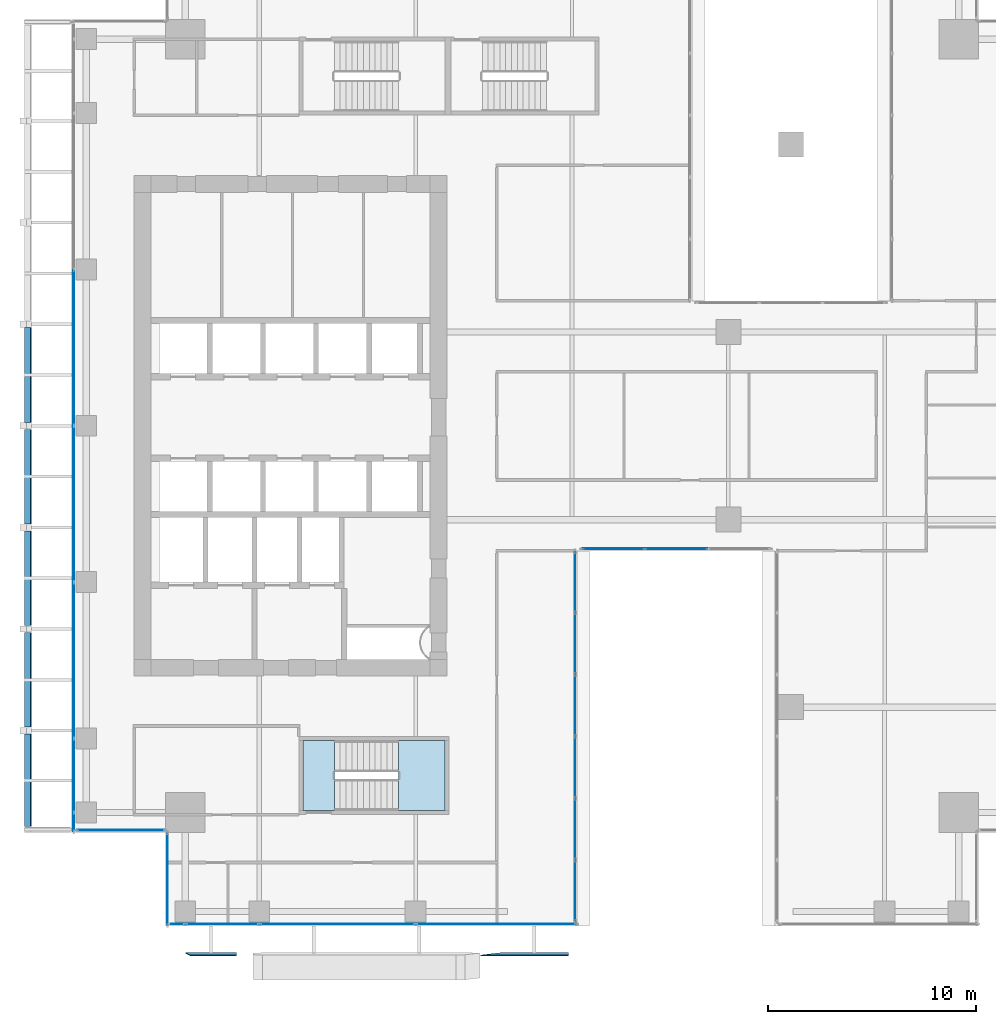
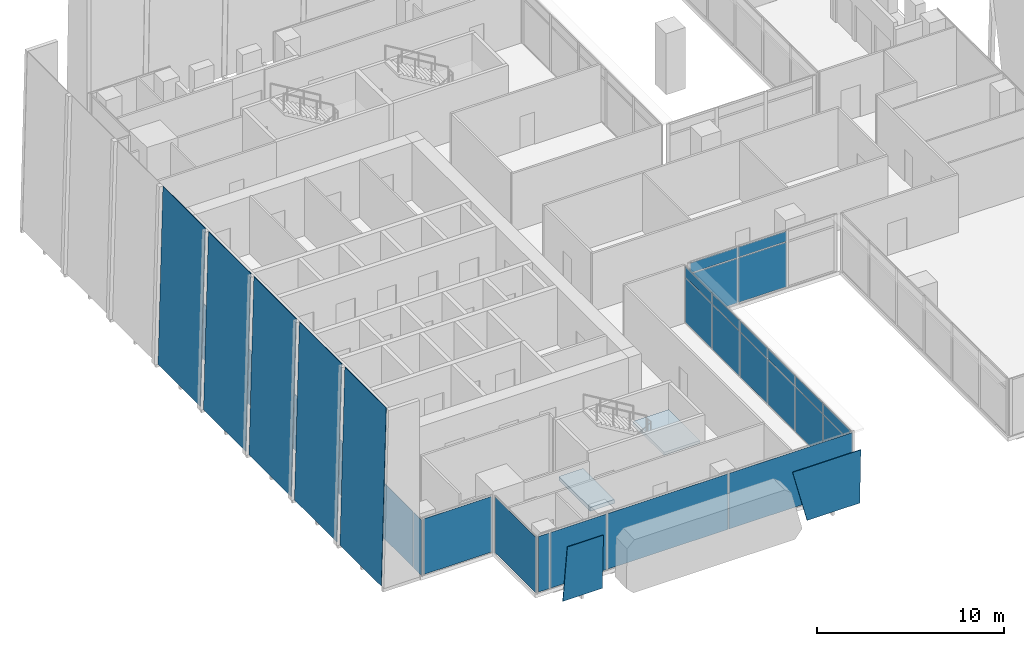
# One storey, part 28 of 40: 34 plates, 2 slabs, 7 elements without a shape of their own.
"""IFC4 building model written with IfcOpenShell, lengths in metres."""

from ifc_helpers import new_model, si_unit, direction, frame, origin, origin_2d, place, context, subcontext, project, spatial, polyline, rectangle, outline, extrude, source, transform, mapped, material, layer, layer_set, type_object, element, aggregate, save


model = new_model("IFC4")

# Units and contexts
model_context = context("Model", 3, precision=1e-05, world=origin(), true_north=direction((0.0, 1.0)))
body_context = subcontext(model_context, "Body", "Model", "MODEL_VIEW")
ifc_project = project(units=[si_unit("LENGTHUNIT", "METRE"), si_unit("AREAUNIT", "SQUARE_METRE"), si_unit("VOLUMEUNIT", "CUBIC_METRE"), si_unit("PLANEANGLEUNIT", "RADIAN"), si_unit("MASSUNIT", "GRAM", prefix="KILO")], contexts=[model_context])

# Site, building, storey
site_placement = place(None, origin())
site = spatial("IfcSite", under=ifc_project, at=site_placement, CompositionType="ELEMENT")
building_placement = place(site_placement, origin())
building = spatial("IfcBuilding", under=site, at=building_placement, Name="Khomas Fold Tower", CompositionType="ELEMENT")
storey_placement = place(building_placement, frame((0.0, 0.0, 176.699951171875)))
storey = spatial("IfcBuildingStorey", under=building, at=storey_placement, Name="L38", CompositionType="ELEMENT", Elevation=176.699951171875)

# Plates
ifc_material_1 = material(Name="Clear laminated glass", Category="glass")
ifc_layer_1 = layer(ifc_material_1, 0.0400390625)
ifc_layer_set_1 = layer_set([ifc_layer_1], Name="Clear laminated glass")
plate_type_1 = type_object("IfcPlateType", Name="SK-Clear laminated glass leaf", PredefinedType="SHEET", material=ifc_layer_set_1)
plate_1_placement = place(storey_placement, frame((10.89990234375, 1.724365234375, 0.0), z_axis=(0.0, 0.999510801098, 0.031275525377), x_axis=(-1.0, 0.0, 0.0)))
element("IfcPlate", 1, at=plate_1_placement, inside=storey, type_object=plate_type_1, Name="OUTER SKIN glass L38 SG099-1", PredefinedType="SHEET", context=body_context, shape_type="SweptSolid", body=[
    extrude(outline(polyline([(0.0, 0.0), (2.4482421875, 0.0), (2.225830078125, 3.551786358110002), (0.0, 3.551786358110002), (0.0, 0.0)])), origin(), (0.0, 0.0, -1.0), 0.0400390625),
])
plate_2_placement = place(storey_placement, frame((23.56884765625, 1.724365234375, 0.0), z_axis=(0.0, 0.999510801098, 0.031275525377), x_axis=(-0.26004769277, -0.030199515112, 0.965123404945)))
element("IfcPlate", 2, at=plate_2_placement, inside=storey, type_object=plate_type_1, Name="OUTER SKIN glass L38 SG102-2", PredefinedType="SHEET", context=body_context, shape_type="SweptSolid", body=[
    extrude(outline(polyline([(0.0, 0.0), (3.678336687243485, 2.220446049250313e-16), (2.5815144361937716, 4.07266420413994), (-0.8480754589906268, 3.1490303565004236), (0.0, 0.0)])), origin(), (0.0, 0.0, -1.0), 0.0400390625),
])
plate_3_placement = place(storey_placement, frame((0.729248046875, 7.77001953125, 0.0009765625), z_axis=(-0.999657230839, 0.0, 0.026180543005), x_axis=(0.0, 1.0, 0.0)))
element("IfcPlate", 3, at=plate_3_placement, inside=storey, type_object=plate_type_1, Name="OUTER SKIN glass L38 W1", PredefinedType="SHEET", context=body_context, shape_type="SweptSolid", body=[
    extrude(outline(polyline([(0.0, 0.0), (4.43505859375, 0.0), (4.43505859375, -11.554009186164079), (0.0, -11.554009186164079), (0.0, 0.0)])), origin(), (0.0, 0.0, -1.0), 0.0400390625),
])
for number, where, z_axis, x_axis, name in (
    (4, (0.729248046875, 12.544921875, 0.0009765625), (-0.999657230839, 0.0, 0.026180543005), (0.0, 1.0, 0.0), "OUTER SKIN glass L38 W3"),
    (5, (0.729248046875, 17.419921875, 0.0009765625), (-0.999657230839, 0.0, 0.026180543005), (0.0, 1.0, 0.0), "OUTER SKIN glass L38 W5"),
    (6, (0.729248046875, 22.294921875, 0.0009765625), (-0.999657230839, 0.0, 0.026180543005), (0.0, 1.0, 0.0), "OUTER SKIN glass L38 W7"),
    (7, (0.729248046875, 27.169921875, 0.0009765625), (-0.999657230839, 0.0, 0.026180543005), (0.0, 1.0, 0.0), "OUTER SKIN glass L38 W9"),
):
    element("IfcPlate", number, at=place(storey_placement, frame(where, z_axis=z_axis, x_axis=x_axis)), inside=storey, type_object=plate_type_1, Name=name, PredefinedType="SHEET", context=body_context, shape_type="SweptSolid", body=[
        extrude(outline(polyline([(0.0, 0.0), (4.53515625, 0.0), (4.53515625, -11.554009186164079), (0.0, -11.554009186164079), (0.0, 0.0)])), origin(), (0.0, 0.0, -1.0), 0.0400390625),
    ])

# Curtain wall, plate
ifc_material_2 = material(Name="Aluminium framed double glazing", Category="aluminium")
curtain_wall_type_1 = type_object("IfcCurtainWallType", Name="SK-Unitised clear-glass wall, office floors CW2", PredefinedType="NOTDEFINED", material=ifc_material_2)
curtain_wall_1_placement = place(storey_placement, origin())
curtain_wall_1 = element("IfcCurtainWall", 8, at=curtain_wall_1_placement, inside=storey, type_object=curtain_wall_type_1, Name="CW2 corner return L38 00", PredefinedType="NOTDEFINED")
ifc_material_3 = material(Name="Clear double glazed unit")
ifc_layer_2 = layer(ifc_material_3, 0.030029296875)
ifc_layer_set_2 = layer_set([ifc_layer_2], Name="Clear double glazed unit")
plate_type_2 = type_object("IfcPlateType", Name="SK-Unitised clear-glass wall, office floors glass panel CW2-P", PredefinedType="CURTAIN_PANEL", material=ifc_layer_set_2)
shared_shape_1 = source(origin(), body_context, "Body", "SweptSolid", [
    extrude(rectangle(XDim=4.3798828125, YDim=0.030029296875, at=origin_2d()), origin(), (0.0, 0.0, 1.0), 3.639892578125),
])
plate_4_placement = place(storey_placement, frame((7.60009765625, 5.25, 0.0), z_axis=(0.0, 0.0, 1.0), x_axis=(0.0, -1.0, 0.0)))
plate_4 = element("IfcPlate", 9, at=plate_4_placement, type_object=plate_type_2, Name="CW2 glass panel 1", PredefinedType="CURTAIN_PANEL", context=body_context, shape_type="MappedRepresentation", body=[
    mapped(shared_shape_1, transform((0.0, 0.0, 0.0))),
])
aggregate(curtain_wall_1, [plate_4])

# Curtain wall, plates
curtain_wall_2_placement = place(storey_placement, origin())
curtain_wall_2 = element("IfcCurtainWall", 10, at=curtain_wall_2_placement, inside=storey, type_object=curtain_wall_type_1, Name="CW2 run L38 01-0", PredefinedType="NOTDEFINED")
shared_shape_2 = source(origin(), body_context, "Body", "SweptSolid", [
    extrude(rectangle(XDim=0.659912109375, YDim=0.030029296875, at=origin_2d()), origin(), (0.0, 0.0, 1.0), 3.639892578125),
])
plate_5_placement = place(storey_placement, frame((8.090087890625, 3.10009765625, 0.0), z_axis=(0.0, 0.0, 1.0), x_axis=(1.0, 0.0, 0.0)))
plate_5 = element("IfcPlate", 11, at=plate_5_placement, type_object=plate_type_2, Name="CW2 glass panel 1", PredefinedType="CURTAIN_PANEL", context=body_context, shape_type="MappedRepresentation", body=[
    mapped(shared_shape_2, transform((0.0, 0.0, 0.0))),
])
shared_shape_3 = source(origin(), body_context, "Body", "SweptSolid", [
    extrude(rectangle(XDim=3.489990234375, YDim=0.030029296875, at=origin_2d()), origin(), (0.0, 0.0, 1.0), 3.639892578125),
])
plate_6_placement = place(storey_placement, frame((10.22509765625, 3.10009765625, 0.0), z_axis=(0.0, 0.0, 1.0), x_axis=(1.0, 0.0, 0.0)))
plate_6 = element("IfcPlate", 12, at=plate_6_placement, type_object=plate_type_2, Name="CW2 glass panel 2", PredefinedType="CURTAIN_PANEL", context=body_context, shape_type="MappedRepresentation", body=[
    mapped(shared_shape_3, transform((0.0, 0.0, 0.0))),
])

# Curtain wall, plate
curtain_wall_3_placement = place(storey_placement, origin())
curtain_wall_3 = element("IfcCurtainWall", 13, at=curtain_wall_3_placement, inside=storey, type_object=curtain_wall_type_1, Name="CW2 run L38 18-0", PredefinedType="NOTDEFINED")
plate_7_placement = place(storey_placement, frame((3.10009765625, 10.22509765625, 0.0), z_axis=(0.0, 0.0, 1.0), x_axis=(0.0, -1.0, 0.0)))
plate_7 = element("IfcPlate", 14, at=plate_7_placement, type_object=plate_type_2, Name="CW2 glass panel 7", PredefinedType="CURTAIN_PANEL", context=body_context, shape_type="MappedRepresentation", body=[
    mapped(shared_shape_3, transform((0.0, 0.0, 0.0))),
])

# Plate
shared_shape_4 = source(origin(), body_context, "Body", "SweptSolid", [
    extrude(rectangle(XDim=7.43994140625, YDim=0.030029296875, at=origin_2d()), origin(), (0.0, 0.0, 1.0), 3.639892578125),
])
plate_8_placement = place(storey_placement, frame((15.75, 3.10009765625, 0.0), z_axis=(0.0, 0.0, 1.0), x_axis=(1.0, 0.0, 0.0)))
plate_8 = element("IfcPlate", 15, at=plate_8_placement, type_object=plate_type_2, Name="CW2 glass panel 3", PredefinedType="CURTAIN_PANEL", context=body_context, shape_type="MappedRepresentation", body=[
    mapped(shared_shape_4, transform((0.0, 0.0, 0.0))),
])

plate_9_placement = place(storey_placement, frame((3.10009765625, 30.75, 0.0), z_axis=(0.0, 0.0, 1.0), x_axis=(0.0, -1.0, 0.0)))
plate_9 = element("IfcPlate", 16, at=plate_9_placement, type_object=plate_type_2, Name="CW2 glass panel 4", PredefinedType="CURTAIN_PANEL", context=body_context, shape_type="MappedRepresentation", body=[
    mapped(shared_shape_4, transform((0.0, 0.0, 0.0))),
])

plate_10_placement = place(storey_placement, frame((3.10009765625, 23.25, 0.0), z_axis=(0.0, 0.0, 1.0), x_axis=(0.0, -1.0, 0.0)))
plate_10 = element("IfcPlate", 17, at=plate_10_placement, type_object=plate_type_2, Name="CW2 glass panel 5", PredefinedType="CURTAIN_PANEL", context=body_context, shape_type="MappedRepresentation", body=[
    mapped(shared_shape_4, transform((0.0, 0.0, 0.0))),
])

plate_11_placement = place(storey_placement, frame((3.10009765625, 15.75, 0.0), z_axis=(0.0, 0.0, 1.0), x_axis=(0.0, -1.0, 0.0)))
plate_11 = element("IfcPlate", 18, at=plate_11_placement, type_object=plate_type_2, Name="CW2 glass panel 6", PredefinedType="CURTAIN_PANEL", context=body_context, shape_type="MappedRepresentation", body=[
    mapped(shared_shape_4, transform((0.0, 0.0, 0.0))),
])

# Curtain wall, plate
curtain_wall_4_placement = place(storey_placement, origin())
curtain_wall_4 = element("IfcCurtainWall", 19, at=curtain_wall_4_placement, inside=storey, type_object=curtain_wall_type_1, Name="CW2 corner return L38 19", PredefinedType="NOTDEFINED")
shared_shape_5 = source(origin(), body_context, "Body", "SweptSolid", [
    extrude(rectangle(XDim=4.179931640625, YDim=0.030029296875, at=origin_2d()), origin(), (0.0, 0.0, 1.0), 3.639892578125),
])
plate_12_placement = place(storey_placement, frame((5.35009765625, 7.60009765625, 0.0), z_axis=(0.0, 0.0, 1.0), x_axis=(1.0, 0.0, 0.0)))
plate_12 = element("IfcPlate", 20, at=plate_12_placement, type_object=plate_type_2, Name="CW2 glass panel 1", PredefinedType="CURTAIN_PANEL", context=body_context, shape_type="MappedRepresentation", body=[
    mapped(shared_shape_5, transform((0.0, 0.0, 0.0))),
])
aggregate(curtain_wall_4, [plate_12])

# Plate
shared_shape_6 = source(origin(), body_context, "Body", "SweptSolid", [
    extrude(rectangle(XDim=0.860107421875, YDim=0.030029296875, at=origin_2d()), origin(), (0.0, 0.0, 1.0), 3.639892578125),
])
plate_13_placement = place(storey_placement, frame((3.10009765625, 7.989990234375, 0.0), z_axis=(0.0, 0.0, 1.0), x_axis=(0.0, -1.0, 0.0)))
plate_13 = element("IfcPlate", 21, at=plate_13_placement, type_object=plate_type_2, Name="CW2 glass panel 8", PredefinedType="CURTAIN_PANEL", context=body_context, shape_type="MappedRepresentation", body=[
    mapped(shared_shape_6, transform((0.0, 0.0, 0.0))),
])

aggregate(curtain_wall_3, [plate_9, plate_10, plate_11, plate_7, plate_13])

shared_shape_7 = source(origin(), body_context, "Body", "SweptSolid", [
    extrude(rectangle(XDim=7.659912109375, YDim=0.030029296875, at=origin_2d()), origin(), (0.0, 0.0, 1.0), 3.639892578125),
])
plate_14_placement = place(storey_placement, frame((23.360107421875, 3.10009765625, 0.0), z_axis=(0.0, 0.0, 1.0), x_axis=(1.0, 0.0, 0.0)))
plate_14 = element("IfcPlate", 22, at=plate_14_placement, type_object=plate_type_2, Name="CW2 glass panel 4", PredefinedType="CURTAIN_PANEL", context=body_context, shape_type="MappedRepresentation", body=[
    mapped(shared_shape_7, transform((0.0, 0.0, 0.0))),
])

aggregate(curtain_wall_2, [plate_5, plate_6, plate_8, plate_14])

# Curtain wall, plates
ifc_material_4 = material(Name="Aluminium framed double glazing", Category="aluminium")
curtain_wall_type_2 = type_object("IfcCurtainWallType", Name="Notch glazing GN-CW", PredefinedType="NOTDEFINED", material=ifc_material_4)
curtain_wall_5_placement = place(storey_placement, origin())
curtain_wall_5 = element("IfcCurtainWall", 23, at=curtain_wall_5_placement, inside=storey, type_object=curtain_wall_type_2, Name="Notch glazing run", PredefinedType="NOTDEFINED")
ifc_material_5 = material(Name="Double glazed unit")
ifc_layer_3 = layer(ifc_material_5, 0.031982421875)
ifc_layer_set_3 = layer_set([ifc_layer_3], Name="Double glazed unit")
plate_type_3 = type_object("IfcPlateType", Name="Notch glazing panel GN-CW-P", PredefinedType="CURTAIN_PANEL", material=ifc_layer_set_3)
shared_shape_8 = source(origin(), body_context, "Body", "SweptSolid", [
    extrude(rectangle(XDim=2.876708984375, YDim=0.031982421875, at=origin_2d()), origin(), (0.0, 0.0, 1.0), 2.909912109375),
])
plate_15_placement = place(storey_placement, frame((27.14990234375, 4.6982421875, 0.06005859375), z_axis=(0.0, 0.0, 1.0), x_axis=(0.0, 1.0, 0.0)))
plate_15 = element("IfcPlate", 24, at=plate_15_placement, type_object=plate_type_3, Name="GN-CW panel 1.1", PredefinedType="CURTAIN_PANEL", context=body_context, shape_type="MappedRepresentation", body=[
    mapped(shared_shape_8, transform((0.0, 0.0, 0.0))),
])
plate_16_placement = place(storey_placement, frame((27.14990234375, 19.501708984375, 0.06005859375), z_axis=(0.0, 0.0, 1.0), x_axis=(0.0, 1.0, 0.0)))
plate_16 = element("IfcPlate", 25, at=plate_16_placement, type_object=plate_type_3, Name="GN-CW panel 6.1", PredefinedType="CURTAIN_PANEL", context=body_context, shape_type="MappedRepresentation", body=[
    mapped(shared_shape_8, transform((0.0, 0.0, 0.0))),
])
shared_shape_9 = source(origin(), body_context, "Body", "SweptSolid", [
    extrude(rectangle(XDim=2.90673828125, YDim=0.031982421875, at=origin_2d()), origin(), (0.0, 0.0, 1.0), 2.909912109375),
])
plate_17_placement = place(storey_placement, frame((27.14990234375, 7.64990234375, 0.06005859375), z_axis=(0.0, 0.0, 1.0), x_axis=(0.0, 1.0, 0.0)))
plate_17 = element("IfcPlate", 26, at=plate_17_placement, type_object=plate_type_3, Name="GN-CW panel 2.1", PredefinedType="CURTAIN_PANEL", context=body_context, shape_type="MappedRepresentation", body=[
    mapped(shared_shape_9, transform((0.0, 0.0, 0.0))),
])
plate_18_placement = place(storey_placement, frame((27.14990234375, 10.61669921875, 0.06005859375), z_axis=(0.0, 0.0, 1.0), x_axis=(0.0, 1.0, 0.0)))
plate_18 = element("IfcPlate", 27, at=plate_18_placement, type_object=plate_type_3, Name="GN-CW panel 3.1", PredefinedType="CURTAIN_PANEL", context=body_context, shape_type="MappedRepresentation", body=[
    mapped(shared_shape_9, transform((0.0, 0.0, 0.0))),
])
plate_19_placement = place(storey_placement, frame((27.14990234375, 13.583251953125, 0.06005859375), z_axis=(0.0, 0.0, 1.0), x_axis=(0.0, 1.0, 0.0)))
plate_19 = element("IfcPlate", 28, at=plate_19_placement, type_object=plate_type_3, Name="GN-CW panel 4.1", PredefinedType="CURTAIN_PANEL", context=body_context, shape_type="MappedRepresentation", body=[
    mapped(shared_shape_9, transform((0.0, 0.0, 0.0))),
])
plate_20_placement = place(storey_placement, frame((27.14990234375, 16.550048828125, 0.06005859375), z_axis=(0.0, 0.0, 1.0), x_axis=(0.0, 1.0, 0.0)))
plate_20 = element("IfcPlate", 29, at=plate_20_placement, type_object=plate_type_3, Name="GN-CW panel 5.1", PredefinedType="CURTAIN_PANEL", context=body_context, shape_type="MappedRepresentation", body=[
    mapped(shared_shape_9, transform((0.0, 0.0, 0.0))),
])
shared_shape_10 = source(origin(), body_context, "Body", "SweptSolid", [
    extrude(rectangle(XDim=2.876708984375, YDim=0.031982421875, at=origin_2d()), origin(), (0.0, 0.0, 1.0), 0.659912109375),
])
plate_21_placement = place(storey_placement, frame((27.14990234375, 4.6982421875, 3.0302734375), z_axis=(0.0, 0.0, 1.0), x_axis=(0.0, 1.0, 0.0)))
plate_21 = element("IfcPlate", 30, at=plate_21_placement, type_object=plate_type_3, Name="GN-CW panel 1.2", PredefinedType="CURTAIN_PANEL", context=body_context, shape_type="MappedRepresentation", body=[
    mapped(shared_shape_10, transform((0.0, 0.0, 0.0))),
])
plate_22_placement = place(storey_placement, frame((27.14990234375, 19.501708984375, 3.0302734375), z_axis=(0.0, 0.0, 1.0), x_axis=(0.0, 1.0, 0.0)))
plate_22 = element("IfcPlate", 31, at=plate_22_placement, type_object=plate_type_3, Name="GN-CW panel 6.2", PredefinedType="CURTAIN_PANEL", context=body_context, shape_type="MappedRepresentation", body=[
    mapped(shared_shape_10, transform((0.0, 0.0, 0.0))),
])
shared_shape_11 = source(origin(), body_context, "Body", "SweptSolid", [
    extrude(rectangle(XDim=2.90673828125, YDim=0.031982421875, at=origin_2d()), origin(), (0.0, 0.0, 1.0), 0.659912109375),
])
plate_23_placement = place(storey_placement, frame((27.14990234375, 7.64990234375, 3.0302734375), z_axis=(0.0, 0.0, 1.0), x_axis=(0.0, 1.0, 0.0)))
plate_23 = element("IfcPlate", 32, at=plate_23_placement, type_object=plate_type_3, Name="GN-CW panel 2.2", PredefinedType="CURTAIN_PANEL", context=body_context, shape_type="MappedRepresentation", body=[
    mapped(shared_shape_11, transform((0.0, 0.0, 0.0))),
])
plate_24_placement = place(storey_placement, frame((27.14990234375, 10.61669921875, 3.0302734375), z_axis=(0.0, 0.0, 1.0), x_axis=(0.0, 1.0, 0.0)))
plate_24 = element("IfcPlate", 33, at=plate_24_placement, type_object=plate_type_3, Name="GN-CW panel 3.2", PredefinedType="CURTAIN_PANEL", context=body_context, shape_type="MappedRepresentation", body=[
    mapped(shared_shape_11, transform((0.0, 0.0, 0.0))),
])
plate_25_placement = place(storey_placement, frame((27.14990234375, 13.583251953125, 3.0302734375), z_axis=(0.0, 0.0, 1.0), x_axis=(0.0, 1.0, 0.0)))
plate_25 = element("IfcPlate", 34, at=plate_25_placement, type_object=plate_type_3, Name="GN-CW panel 4.2", PredefinedType="CURTAIN_PANEL", context=body_context, shape_type="MappedRepresentation", body=[
    mapped(shared_shape_11, transform((0.0, 0.0, 0.0))),
])
plate_26_placement = place(storey_placement, frame((27.14990234375, 16.550048828125, 3.0302734375), z_axis=(0.0, 0.0, 1.0), x_axis=(0.0, 1.0, 0.0)))
plate_26 = element("IfcPlate", 35, at=plate_26_placement, type_object=plate_type_3, Name="GN-CW panel 5.2", PredefinedType="CURTAIN_PANEL", context=body_context, shape_type="MappedRepresentation", body=[
    mapped(shared_shape_11, transform((0.0, 0.0, 0.0))),
])
aggregate(curtain_wall_5, [plate_15, plate_21, plate_17, plate_23, plate_18, plate_24, plate_19, plate_25, plate_20, plate_26, plate_16, plate_22])

curtain_wall_6_placement = place(storey_placement, origin())
curtain_wall_6 = element("IfcCurtainWall", 36, at=curtain_wall_6_placement, inside=storey, type_object=curtain_wall_type_2, Name="Notch glazing run", PredefinedType="NOTDEFINED")
shared_shape_12 = source(origin(), body_context, "Body", "SweptSolid", [
    extrude(rectangle(XDim=2.943359375, YDim=0.031982421875, at=origin_2d()), origin(), (0.0, 0.0, 1.0), 2.909912109375),
])
plate_27_placement = place(storey_placement, frame((28.981689453125, 21.10009765625, 0.06005859375), z_axis=(0.0, 0.0, 1.0), x_axis=(1.0, 0.0, 0.0)))
plate_27 = element("IfcPlate", 37, at=plate_27_placement, type_object=plate_type_3, Name="GN-CW panel 1.1", PredefinedType="CURTAIN_PANEL", context=body_context, shape_type="MappedRepresentation", body=[
    mapped(shared_shape_12, transform((0.0, 0.0, 0.0))),
])
shared_shape_13 = source(origin(), body_context, "Body", "SweptSolid", [
    extrude(rectangle(XDim=2.943359375, YDim=0.031982421875, at=origin_2d()), origin(), (0.0, 0.0, 1.0), 0.659912109375),
])
plate_28_placement = place(storey_placement, frame((28.981689453125, 21.10009765625, 3.0302734375), z_axis=(0.0, 0.0, 1.0), x_axis=(1.0, 0.0, 0.0)))
plate_28 = element("IfcPlate", 38, at=plate_28_placement, type_object=plate_type_3, Name="GN-CW panel 1.2", PredefinedType="CURTAIN_PANEL", context=body_context, shape_type="MappedRepresentation", body=[
    mapped(shared_shape_13, transform((0.0, 0.0, 0.0))),
])
shared_shape_14 = source(origin(), body_context, "Body", "SweptSolid", [
    extrude(rectangle(XDim=2.973388671875, YDim=0.031982421875, at=origin_2d()), origin(), (0.0, 0.0, 1.0), 2.909912109375),
])
plate_29_placement = place(storey_placement, frame((32.0, 21.10009765625, 0.06005859375), z_axis=(0.0, 0.0, 1.0), x_axis=(1.0, 0.0, 0.0)))
plate_29 = element("IfcPlate", 39, at=plate_29_placement, type_object=plate_type_3, Name="GN-CW panel 2.1", PredefinedType="CURTAIN_PANEL", context=body_context, shape_type="MappedRepresentation", body=[
    mapped(shared_shape_14, transform((0.0, 0.0, 0.0))),
])
shared_shape_15 = source(origin(), body_context, "Body", "SweptSolid", [
    extrude(rectangle(XDim=2.973388671875, YDim=0.031982421875, at=origin_2d()), origin(), (0.0, 0.0, 1.0), 0.659912109375),
])
plate_30_placement = place(storey_placement, frame((32.0, 21.10009765625, 3.0302734375), z_axis=(0.0, 0.0, 1.0), x_axis=(1.0, 0.0, 0.0)))
plate_30 = element("IfcPlate", 40, at=plate_30_placement, type_object=plate_type_3, Name="GN-CW panel 2.2", PredefinedType="CURTAIN_PANEL", context=body_context, shape_type="MappedRepresentation", body=[
    mapped(shared_shape_15, transform((0.0, 0.0, 0.0))),
])
aggregate(curtain_wall_6, [plate_27, plate_28, plate_29, plate_30])

# Stair, slab
ifc_material_6 = material(Name="Concrete C40/50", Category="concrete")
stair_type = type_object("IfcStairType", Name="Stair ST2", PredefinedType="HALF_TURN_STAIR", material=ifc_material_6)
stair_placement = place(storey_placement, origin())
stair = element("IfcStair", 41, at=stair_placement, inside=storey, type_object=stair_type, Name="L38 ST2", PredefinedType="HALF_TURN_STAIR")
ifc_material_7 = material(Name="Concrete C40/50", Category="concrete")
ifc_layer_4 = layer(ifc_material_7, 0.199951171875)
ifc_layer_set_4 = layer_set([ifc_layer_4], Name="Concrete C40/50")
slab_type_1 = type_object("IfcSlabType", Name="Stair landing 200", PredefinedType="LANDING", material=ifc_layer_set_4)
shared_shape_16 = source(origin(), body_context, "Body", "SweptSolid", [
    extrude(outline(polyline([(18.679931640625, 8.550048828125), (20.89990234375, 8.550048828125), (20.89990234375, 11.89990234375), (18.679931640625, 11.89990234375), (18.679931640625, 8.550048828125)])), origin(), (0.0, 0.0, 1.0), 0.199951171875),
])
slab_1_placement = place(storey_placement, frame((0.0, 0.0, 1.800048828125)))
slab_1 = element("IfcSlab", 42, at=slab_1_placement, type_object=slab_type_1, Name="ST2 landing 1", PredefinedType="LANDING", context=body_context, shape_type="MappedRepresentation", body=[
    mapped(shared_shape_16, transform((0.0, 0.0, 0.0))),
])
aggregate(stair, [slab_1])

# Slab
ifc_material_8 = material(Name="Concrete C40/50", Category="concrete")
ifc_layer_5 = layer(ifc_material_8, 0.25)
ifc_layer_set_5 = layer_set([ifc_layer_5], Name="Concrete C40/50")
slab_type_2 = type_object("IfcSlabType", Name="Stair floor landing 250", PredefinedType="LANDING", material=ifc_layer_set_5)
shared_shape_17 = source(origin(), body_context, "Body", "SweptSolid", [
    extrude(outline(polyline([(15.60009765625, 8.550048828125), (14.10009765625, 8.550048828125), (14.10009765625, 11.89990234375), (15.60009765625, 11.89990234375), (15.60009765625, 8.550048828125)])), origin(), (0.0, 0.0, 1.0), 0.25),
])
slab_2_placement = place(storey_placement, frame((0.0, 0.0, -0.25)))
element("IfcSlab", 43, at=slab_2_placement, inside=storey, type_object=slab_type_2, Name="ST2 floor landing", PredefinedType="LANDING", context=body_context, shape_type="MappedRepresentation", body=[
    mapped(shared_shape_17, transform((0.0, 0.0, 0.0))),
])

save(model, "model.ifc")
